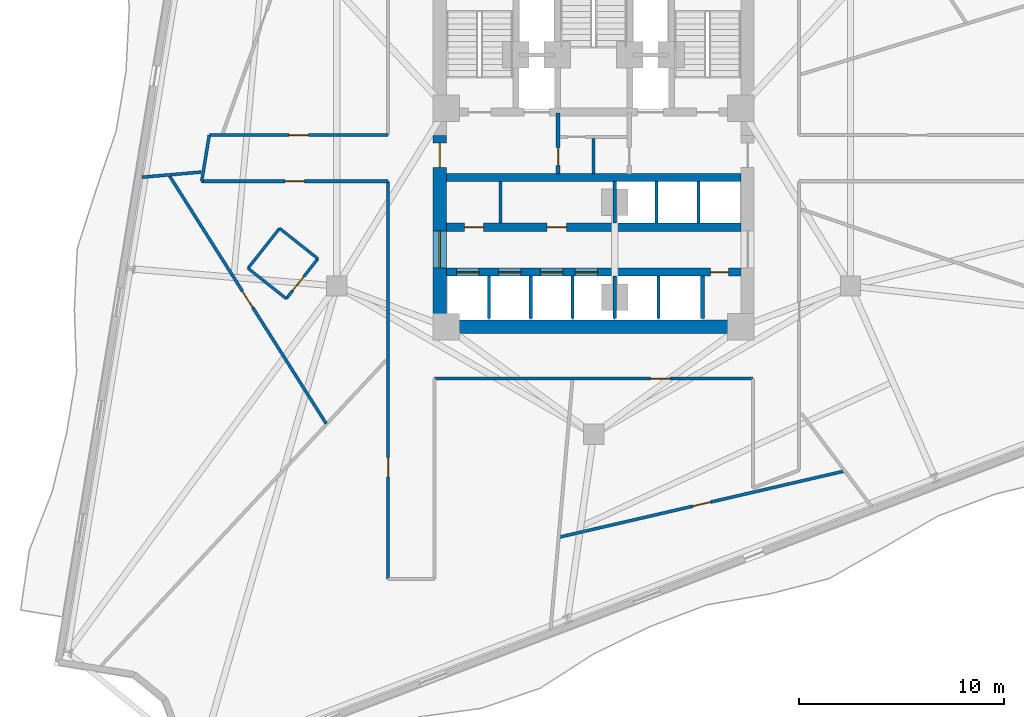
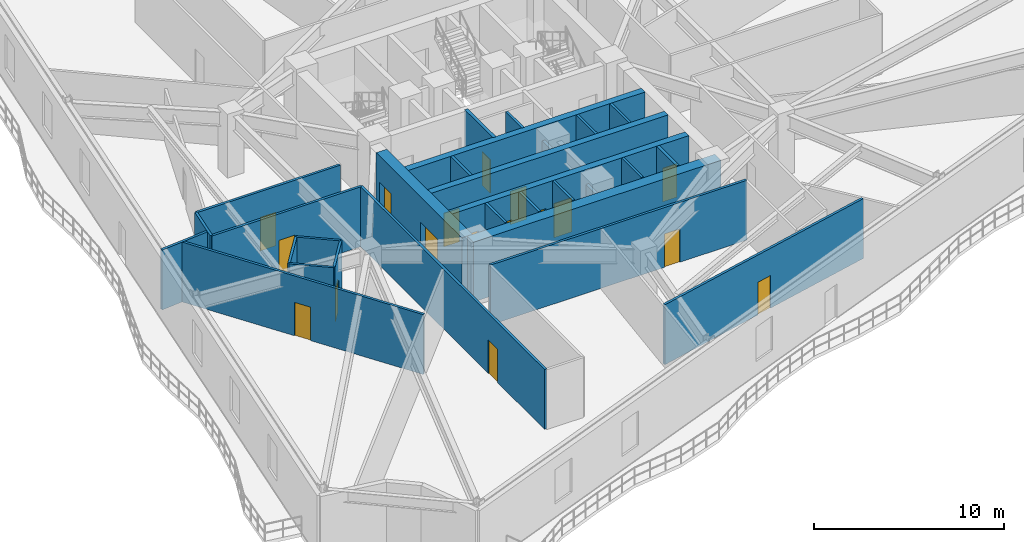
# One storey, part 4 of 11: 29 walls, 17 doors, 17 openings.
"""IFC4 building model written with IfcOpenShell, lengths in metres."""

from ifc_helpers import new_model, si_unit, direction, frame, frame_2d, origin, place, context, subcontext, project, spatial, rectangle, extrude, material, layer, layer_set, type_object, element, fill, save


model = new_model("IFC4")

# Units and contexts
model_context = context("Model", 3, precision=1e-05, world=origin(), true_north=direction((0.0, 1.0)))
body_context = subcontext(model_context, "Body", "Model", "MODEL_VIEW")
ifc_project = project(units=[si_unit("LENGTHUNIT", "METRE"), si_unit("AREAUNIT", "SQUARE_METRE"), si_unit("VOLUMEUNIT", "CUBIC_METRE"), si_unit("PLANEANGLEUNIT", "RADIAN"), si_unit("MASSUNIT", "GRAM", prefix="KILO")], contexts=[model_context])

# Site, building, storey
site_placement = place(None, origin())
site = spatial("IfcSite", under=ifc_project, at=site_placement, CompositionType="ELEMENT")
building_placement = place(site_placement, origin())
building = spatial("IfcBuilding", under=site, at=building_placement, Name="Apsidion Concourse Tower", CompositionType="ELEMENT")
storey_placement = place(building_placement, frame((0.0, 0.0, 140.39990234375)))
storey = spatial("IfcBuildingStorey", under=building, at=storey_placement, Name="L32", CompositionType="ELEMENT", Elevation=140.39990234375)

# Walls
ifc_material_1 = material(Name="Gypsum plasterboard partition")
ifc_layer_1 = layer(ifc_material_1, 0.139892578125)
ifc_layer_set_1 = layer_set([ifc_layer_1], Name="Gypsum plasterboard partition")
wall_type_1 = type_object("IfcWallType", Name="WL-INT-PAR-140", PredefinedType="PARTITIONING", material=ifc_layer_set_1)
wall_1_placement = place(storey_placement, frame((-15.35400390625, -4.432861328125, 0.0), z_axis=(0.0, 0.0, 1.0), x_axis=(-0.621077092267, -0.783749478763, 0.0)))
element("IfcWall", 1, at=wall_1_placement, inside=storey, type_object=wall_type_1, Name="L32 Interior Partition WL-L32-POD-OFAWC-S1", PredefinedType="PARTITIONING", context=body_context, shape_type="SweptSolid", body=[
    extrude(rectangle(XDim=2.48974609375, YDim=0.139892578125, at=frame_2d((1.244873046875, 0.0))), origin(), (0.0, 0.0, 1.0), 3.85009765625),
])
wall_2_placement = place(storey_placement, frame((-16.900390625, -6.38427734375, 0.0), z_axis=(0.0, 0.0, 1.0), x_axis=(0.783641720923, -0.621213049789, 0.0)))
element("IfcWall", 2, at=wall_2_placement, inside=storey, type_object=wall_type_1, Name="L32 Interior Partition WL-L32-POD-OFAWC-S2", PredefinedType="PARTITIONING", context=body_context, shape_type="SweptSolid", body=[
    extrude(rectangle(XDim=2.389892578125, YDim=0.139892578125, at=frame_2d((1.19482421875, 0.0))), origin(), (0.0, 0.0, 1.0), 3.85009765625),
])

# Wall, opening, door
wall_3_placement = place(storey_placement, frame((-15.027587890625, -7.868896484375, 0.0), z_axis=(0.0, 0.0, 1.0), x_axis=(0.621137318029, 0.783701749488, 0.0)))
wall_3 = element("IfcWall", 3, at=wall_3_placement, inside=storey, type_object=wall_type_1, Name="L32 Interior Partition WL-L32-POD-OFAWC-S3", PredefinedType="PARTITIONING", context=body_context, shape_type="SweptSolid", body=[
    extrude(rectangle(XDim=2.489990234375, YDim=0.139892578125, at=frame_2d((1.2451171875, 0.0))), origin(), (0.0, 0.0, 1.0), 3.85009765625),
])
opening_1_placement = place(wall_3_placement, frame((0.5048828125, 0.0, 0.0)))
opening_1 = element("IfcOpeningElement", 4, at=opening_1_placement, cuts=wall_3, Name="Opening D-03R", PredefinedType="OPENING", context=body_context, shape_type="SweptSolid", body=[
    extrude(rectangle(XDim=0.8798828125, YDim=2.10009765625, at=frame_2d((0.43994140625, 1.050048828125))), frame((0.0, 0.080078125, 0.0), z_axis=(0.0, -1.0, 0.0), x_axis=(1.0, 0.0, 0.0)), (0.0, 0.0, 1.0), 0.159912109375),
])
ifc_material_2 = material(Name="Anodised aluminium EN AW-6063 T6", Category="aluminium")
door_type_1 = type_object("IfcDoorType", Name="DR-INT-D03R", OperationType="SINGLE_SWING_RIGHT", PredefinedType="DOOR", material=ifc_material_2)
door_1_placement = place(opening_1_placement, origin())
door_1 = element("IfcDoor", 5, at=door_1_placement, inside=storey, type_object=door_type_1, Name="L32 Office Accessible WC Door OFAWC", OperationType="SINGLE_SWING_RIGHT", OverallHeight=2.10009765625, OverallWidth=0.8798828125, PredefinedType="DOOR", context=body_context, shape_type="SweptSolid", body=[
    extrude(rectangle(XDim=0.8798828125, YDim=2.10009765625, at=frame_2d((0.43994140625, 1.050048828125))), frame((0.0, 0.02490234375, 0.0), z_axis=(0.0, -1.0, 0.0), x_axis=(1.0, 0.0, 0.0)), (0.0, 0.0, 1.0), 0.050048828125),
])
fill(opening_1, door_1)

# Walls
wall_4_placement = place(storey_placement, frame((-13.48095703125, -5.91748046875, 0.0), z_axis=(0.0, 0.0, 1.0), x_axis=(-0.783681138921, 0.621163321921, 0.0)))
element("IfcWall", 6, at=wall_4_placement, inside=storey, type_object=wall_type_1, Name="L32 Interior Partition WL-L32-POD-OFAWC-S4", PredefinedType="PARTITIONING", context=body_context, shape_type="SweptSolid", body=[
    extrude(rectangle(XDim=2.39013671875, YDim=0.139892578125, at=frame_2d((1.195068359375, 0.0))), origin(), (0.0, 0.0, 1.0), 3.85009765625),
])
ifc_layer_2 = layer(ifc_material_1, 0.14990234375)
ifc_layer_set_2 = layer_set([ifc_layer_2], Name="Gypsum plasterboard partition")
wall_type_2 = type_object("IfcWallType", Name="WL-INT-PAR-150", PredefinedType="PARTITIONING", material=ifc_layer_set_2)
for number, where, z_axis, x_axis, name in (
    (7, (-4.550048828125, -4.179931640625, 0.0), (0.0, 0.0, 1.0), (0.0, 1.0, 0.0), "L32 Interior Partition WL-L32-B1RV1"),
    (8, (3.074951171875, -4.179931640625, 0.0), (0.0, 0.0, 1.0), (0.0, 1.0, 0.0), "L32 Interior Partition WL-L32-B3DIV-1"),
    (9, (5.125, -4.179931640625, 0.0), (0.0, 0.0, 1.0), (0.0, 1.0, 0.0), "L32 Interior Partition WL-L32-B3DIV-2"),
):
    element("IfcWall", number, at=place(storey_placement, frame(where, z_axis=z_axis, x_axis=x_axis)), inside=storey, type_object=wall_type_2, Name=name, PredefinedType="PARTITIONING", context=body_context, shape_type="SweptSolid", body=[
        extrude(rectangle(XDim=2.030029296875, YDim=0.14990234375, at=frame_2d((1.01513671875, 0.0))), origin(), (0.0, 0.0, 1.0), 3.85009765625),
    ])
for number, where, z_axis, x_axis, name in (
    (10, (-5.125, -8.85009765625, 0.0), (0.0, 0.0, 1.0), (0.0, 1.0, 0.0), "L32 Interior Partition WL-L32-B2DIV-1"),
    (11, (-3.074951171875, -8.85009765625, 0.0), (0.0, 0.0, 1.0), (0.0, 1.0, 0.0), "L32 Interior Partition WL-L32-B2DIV-2"),
    (12, (-1.02490234375, -8.85009765625, 0.0), (0.0, 0.0, 1.0), (0.0, 1.0, 0.0), "L32 Interior Partition WL-L32-B2DIV-3"),
    (13, (3.175048828125, -8.85009765625, 0.0), (0.0, 0.0, 1.0), (0.0, 1.0, 0.0), "L32 Interior Partition WL-L32-SHDIV-1"),
):
    element("IfcWall", number, at=place(storey_placement, frame(where, z_axis=z_axis, x_axis=x_axis)), inside=storey, type_object=wall_type_2, Name=name, PredefinedType="PARTITIONING", context=body_context, shape_type="SweptSolid", body=[
        extrude(rectangle(XDim=2.080078125, YDim=0.14990234375, at=frame_2d((1.0400390625, 0.0))), origin(), (0.0, 0.0, 1.0), 3.85009765625),
    ])
wall_5_placement = place(storey_placement, frame((0.0, -1.780029296875, 0.0), z_axis=(0.0, 0.0, 1.0), x_axis=(0.0, 1.0, 0.0)))
element("IfcWall", 14, at=wall_5_placement, inside=storey, type_object=wall_type_2, Name="L32 Interior Partition WL-L32-K4V", PredefinedType="PARTITIONING", context=body_context, shape_type="SweptSolid", body=[
    extrude(rectangle(XDim=1.72998046875, YDim=0.14990234375, at=frame_2d((0.864990234375, 0.0))), origin(), (0.0, 0.0, 1.0), 3.85009765625),
])

# Wall, opening, door
wall_6_placement = place(storey_placement, frame((7.7900390625, -11.77490234375, 0.0), z_axis=(0.0, 0.0, 1.0), x_axis=(-1.0, 0.0, 0.0)))
wall_6 = element("IfcWall", 15, at=wall_6_placement, inside=storey, type_object=wall_type_2, Name="L32 Interior Partition WL-L32-CORR-03", PredefinedType="PARTITIONING", context=body_context, shape_type="SweptSolid", body=[
    extrude(rectangle(XDim=15.580078125, YDim=0.14990234375, at=frame_2d((7.7900390625, 0.0))), origin(), (0.0, 0.0, 1.0), 3.85009765625),
])
opening_2_placement = place(wall_6_placement, frame((4.066650390625, 0.0, 0.0)))
opening_2 = element("IfcOpeningElement", 16, at=opening_2_placement, cuts=wall_6, Name="Opening D-01L", PredefinedType="OPENING", context=body_context, shape_type="SweptSolid", body=[
    extrude(rectangle(XDim=0.949951171875, YDim=2.14990234375, at=frame_2d((0.47509765625, 1.074951171875))), frame((0.0, 0.0849609375, 0.0), z_axis=(0.0, -1.0, 0.0), x_axis=(1.0, 0.0, 0.0)), (0.0, 0.0, 1.0), 0.169921875),
])
ifc_material_3 = material(Name="Brushed stainless steel 316", Category="steel")
door_type_2 = type_object("IfcDoorType", Name="DR-INT-D01L", OperationType="SINGLE_SWING_LEFT", PredefinedType="DOOR", material=ifc_material_3)
door_2_placement = place(opening_2_placement, origin())
door_2 = element("IfcDoor", 17, at=door_2_placement, inside=storey, type_object=door_type_2, Name="L32 Corridor Entry Door 03", OperationType="SINGLE_SWING_LEFT", OverallHeight=2.14990234375, OverallWidth=0.949951171875, PredefinedType="DOOR", context=body_context, shape_type="SweptSolid", body=[
    extrude(rectangle(XDim=0.949951171875, YDim=2.14990234375, at=frame_2d((0.47509765625, 1.074951171875))), frame((0.0, 0.02490234375, 0.0), z_axis=(0.0, -1.0, 0.0), x_axis=(1.0, 0.0, 0.0)), (0.0, 0.0, 1.0), 0.050048828125),
])
fill(opening_2, door_2)

wall_7_placement = place(storey_placement, frame((-10.050048828125, -21.580078125, 0.0), z_axis=(0.0, 0.0, 1.0), x_axis=(0.0, 1.0, 0.0)))
wall_7 = element("IfcWall", 18, at=wall_7_placement, inside=storey, type_object=wall_type_2, Name="L32 Interior Partition WL-L32-CORR-06", PredefinedType="PARTITIONING", context=body_context, shape_type="SweptSolid", body=[
    extrude(rectangle(XDim=19.4501953125, YDim=0.14990234375, at=frame_2d((9.72509765625, 0.0))), origin(), (0.0, 0.0, 1.0), 3.85009765625),
])
opening_3_placement = place(wall_7_placement, frame((4.990478515625, 0.0, 0.0)))
opening_3 = element("IfcOpeningElement", 19, at=opening_3_placement, cuts=wall_7, Name="Opening D-01R", PredefinedType="OPENING", context=body_context, shape_type="SweptSolid", body=[
    extrude(rectangle(XDim=0.949951171875, YDim=2.14990234375, at=frame_2d((0.47509765625, 1.074951171875))), frame((0.0, 0.0849609375, 0.0), z_axis=(0.0, -1.0, 0.0), x_axis=(1.0, 0.0, 0.0)), (0.0, 0.0, 1.0), 0.169921875),
])
door_type_3 = type_object("IfcDoorType", Name="DR-INT-D01R", OperationType="SINGLE_SWING_RIGHT", PredefinedType="DOOR", material=ifc_material_3)
door_3_placement = place(opening_3_placement, origin())
door_3 = element("IfcDoor", 20, at=door_3_placement, inside=storey, type_object=door_type_3, Name="L32 Corridor Entry Door 02", OperationType="SINGLE_SWING_RIGHT", OverallHeight=2.14990234375, OverallWidth=0.949951171875, PredefinedType="DOOR", context=body_context, shape_type="SweptSolid", body=[
    extrude(rectangle(XDim=0.949951171875, YDim=2.14990234375, at=frame_2d((0.47509765625, 1.074951171875))), frame((0.0, 0.02490234375, 0.0), z_axis=(0.0, -1.0, 0.0), x_axis=(1.0, 0.0, 0.0)), (0.0, 0.0, 1.0), 0.050048828125),
])
fill(opening_3, door_3)

wall_8_placement = place(storey_placement, frame((-10.050048828125, -2.1298828125, 0.0), z_axis=(0.0, 0.0, 1.0), x_axis=(-1.0, 0.0, 0.0)))
wall_8 = element("IfcWall", 21, at=wall_8_placement, inside=storey, type_object=wall_type_2, Name="L32 Interior Partition WL-L32-CORR-07", PredefinedType="PARTITIONING", context=body_context, shape_type="SweptSolid", body=[
    extrude(rectangle(XDim=9.1142578125, YDim=0.14990234375, at=frame_2d((4.55712890625, 0.0))), origin(), (0.0, 0.0, 1.0), 3.85009765625),
])
opening_4_placement = place(wall_8_placement, frame((4.082275390625, 0.0, 0.0)))
opening_4 = element("IfcOpeningElement", 22, at=opening_4_placement, cuts=wall_8, Name="Opening D-01L", PredefinedType="OPENING", context=body_context, shape_type="SweptSolid", body=[
    extrude(rectangle(XDim=0.949951171875, YDim=2.14990234375, at=frame_2d((0.47509765625, 1.074951171875))), frame((0.0, 0.0849609375, 0.0), z_axis=(0.0, -1.0, 0.0), x_axis=(1.0, 0.0, 0.0)), (0.0, 0.0, 1.0), 0.169921875),
])
door_4_placement = place(opening_4_placement, origin())
door_4 = element("IfcDoor", 23, at=door_4_placement, inside=storey, type_object=door_type_2, Name="L32 Corridor Entry Door 01", OperationType="SINGLE_SWING_LEFT", OverallHeight=2.14990234375, OverallWidth=0.949951171875, PredefinedType="DOOR", context=body_context, shape_type="SweptSolid", body=[
    extrude(rectangle(XDim=0.949951171875, YDim=2.14990234375, at=frame_2d((0.47509765625, 1.074951171875))), frame((0.0, 0.02490234375, 0.0), z_axis=(0.0, -1.0, 0.0), x_axis=(1.0, 0.0, 0.0)), (0.0, 0.0, 1.0), 0.050048828125),
])
fill(opening_4, door_4)

# Wall
wall_9_placement = place(storey_placement, frame((-19.164306640625, -2.1298828125, 0.0), z_axis=(0.0, 0.0, 1.0), x_axis=(0.161943522339, 0.986800028158, 0.0)))
element("IfcWall", 24, at=wall_9_placement, inside=storey, type_object=wall_type_2, Name="L32 Interior Partition WL-L32-CORR-08", PredefinedType="PARTITIONING", context=body_context, shape_type="SweptSolid", body=[
    extrude(rectangle(XDim=2.2900390625, YDim=0.14990234375, at=frame_2d((1.14501953125, 0.0))), origin(), (0.0, 0.0, 1.0), 3.85009765625),
])

# Wall, opening, door
wall_10_placement = place(storey_placement, frame((-18.79345703125, 0.1298828125, 0.0), z_axis=(0.0, 0.0, 1.0), x_axis=(1.0, 0.0, 0.0)))
wall_10 = element("IfcWall", 25, at=wall_10_placement, inside=storey, type_object=wall_type_2, Name="L32 Interior Partition WL-L32-CORR-09", PredefinedType="PARTITIONING", context=body_context, shape_type="SweptSolid", body=[
    extrude(rectangle(XDim=8.743408203125, YDim=0.14990234375, at=frame_2d((4.37158203125, 0.0))), origin(), (0.0, 0.0, 1.0), 3.85009765625),
])
opening_5_placement = place(wall_10_placement, frame((3.896728515625, 0.0, 0.0)))
opening_5 = element("IfcOpeningElement", 26, at=opening_5_placement, cuts=wall_10, Name="Opening D-01L", PredefinedType="OPENING", context=body_context, shape_type="SweptSolid", body=[
    extrude(rectangle(XDim=0.949951171875, YDim=2.14990234375, at=frame_2d((0.47509765625, 1.074951171875))), frame((0.0, 0.0849609375, 0.0), z_axis=(0.0, -1.0, 0.0), x_axis=(1.0, 0.0, 0.0)), (0.0, 0.0, 1.0), 0.169921875),
])
door_5_placement = place(opening_5_placement, origin())
door_5 = element("IfcDoor", 27, at=door_5_placement, inside=storey, type_object=door_type_2, Name="L32 Corridor Entry Door 09", OperationType="SINGLE_SWING_LEFT", OverallHeight=2.14990234375, OverallWidth=0.949951171875, PredefinedType="DOOR", context=body_context, shape_type="SweptSolid", body=[
    extrude(rectangle(XDim=0.949951171875, YDim=2.14990234375, at=frame_2d((0.47509765625, 1.074951171875))), frame((0.0, 0.02490234375, 0.0), z_axis=(0.0, -1.0, 0.0), x_axis=(1.0, 0.0, 0.0)), (0.0, 0.0, 1.0), 0.050048828125),
])
fill(opening_5, door_5)

# Wall
wall_11_placement = place(storey_placement, frame((-19.197021484375, -1.679443359375, 0.0), z_axis=(0.0, 0.0, 1.0), x_axis=(-0.996195359261, -0.087148185216, 0.0)))
element("IfcWall", 28, at=wall_11_placement, inside=storey, type_object=wall_type_2, Name="L32 Interior Partition WL-L32-RAD-05-1", PredefinedType="PARTITIONING", context=body_context, shape_type="SweptSolid", body=[
    extrude(rectangle(XDim=2.905029296875, YDim=0.14990234375, at=frame_2d((1.45263671875, 0.0))), origin(), (0.0, 0.0, 1.0), 3.85009765625),
])

# Wall, opening, door
wall_12_placement = place(storey_placement, frame((-20.753662109375, -1.8408203125, 0.0), z_axis=(0.0, 0.0, 1.0), x_axis=(0.53443787688, -0.84520775893, 0.0)))
wall_12 = element("IfcWall", 29, at=wall_12_placement, inside=storey, type_object=wall_type_2, Name="L32 Interior Partition WL-L32-CHD-OFWC", PredefinedType="PARTITIONING", context=body_context, shape_type="SweptSolid", body=[
    extrude(rectangle(XDim=14.367919921875, YDim=0.14990234375, at=frame_2d((7.18408203125, 0.0))), origin(), (0.0, 0.0, 1.0), 3.85009765625),
])
opening_6_placement = place(wall_12_placement, frame((6.708984375, 0.0, 0.0)))
opening_6 = element("IfcOpeningElement", 30, at=opening_6_placement, cuts=wall_12, Name="Opening D-04L", PredefinedType="OPENING", context=body_context, shape_type="SweptSolid", body=[
    extrude(rectangle(XDim=0.949951171875, YDim=2.14990234375, at=frame_2d((0.47509765625, 1.074951171875))), frame((0.0, 0.0849609375, 0.0), z_axis=(0.0, -1.0, 0.0), x_axis=(1.0, 0.0, 0.0)), (0.0, 0.0, 1.0), 0.169921875),
])
door_type_4 = type_object("IfcDoorType", Name="DR-INT-D04L", OperationType="SINGLE_SWING_LEFT", PredefinedType="DOOR", material=ifc_material_3)
door_6_placement = place(opening_6_placement, origin())
door_6 = element("IfcDoor", 31, at=door_6_placement, inside=storey, type_object=door_type_4, Name="L32 Suite Connecting Door OFWC", OperationType="SINGLE_SWING_LEFT", OverallHeight=2.14990234375, OverallWidth=0.949951171875, PredefinedType="DOOR", context=body_context, shape_type="SweptSolid", body=[
    extrude(rectangle(XDim=0.949951171875, YDim=2.14990234375, at=frame_2d((0.47509765625, 1.074951171875))), frame((0.0, 0.02490234375, 0.0), z_axis=(0.0, -1.0, 0.0), x_axis=(1.0, 0.0, 0.0)), (0.0, 0.0, 1.0), 0.050048828125),
])
fill(opening_6, door_6)

wall_13_placement = place(storey_placement, frame((-1.683837890625, -19.53271484375, 0.0), z_axis=(0.0, 0.0, 1.0), x_axis=(0.974168973581, 0.225820306685, 0.0)))
wall_13 = element("IfcWall", 32, at=wall_13_placement, inside=storey, type_object=wall_type_2, Name="L32 Interior Partition WL-L32-CHD-OFS02", PredefinedType="PARTITIONING", context=body_context, shape_type="SweptSolid", body=[
    extrude(rectangle(XDim=14.306640625, YDim=0.14990234375, at=frame_2d((7.1533203125, 0.0))), origin(), (0.0, 0.0, 1.0), 3.85009765625),
])
opening_7_placement = place(wall_13_placement, frame((6.703369140625, 0.0, 0.0)))
opening_7 = element("IfcOpeningElement", 33, at=opening_7_placement, cuts=wall_13, Name="Opening D-02L", PredefinedType="OPENING", context=body_context, shape_type="SweptSolid", body=[
    extrude(rectangle(XDim=0.89990234375, YDim=2.10009765625, at=frame_2d((0.449951171875, 1.050048828125))), frame((0.0, 0.0849609375, 0.0), z_axis=(0.0, -1.0, 0.0), x_axis=(1.0, 0.0, 0.0)), (0.0, 0.0, 1.0), 0.169921875),
])
door_type_5 = type_object("IfcDoorType", Name="DR-INT-D02L", OperationType="SINGLE_SWING_LEFT", PredefinedType="DOOR", material=ifc_material_2)
door_7_placement = place(opening_7_placement, origin())
door_7 = element("IfcDoor", 34, at=door_7_placement, inside=storey, type_object=door_type_5, Name="L32 Suite Connecting Door OFS02", OperationType="SINGLE_SWING_LEFT", OverallHeight=2.10009765625, OverallWidth=0.89990234375, PredefinedType="DOOR", context=body_context, shape_type="SweptSolid", body=[
    extrude(rectangle(XDim=0.89990234375, YDim=2.10009765625, at=frame_2d((0.449951171875, 1.050048828125))), frame((0.0, 0.02490234375, 0.0), z_axis=(0.0, -1.0, 0.0), x_axis=(1.0, 0.0, 0.0)), (0.0, 0.0, 1.0), 0.050048828125),
])
fill(opening_7, door_7)

# Walls
ifc_layer_3 = layer(ifc_material_1, 0.179931640625)
ifc_layer_set_3 = layer_set([ifc_layer_3], Name="Gypsum plasterboard partition")
wall_type_3 = type_object("IfcWallType", Name="WL-INT-PAR-180", PredefinedType="PARTITIONING", material=ifc_layer_set_3)
wall_14_placement = place(storey_placement, frame((1.02490234375, -4.179931640625, 0.0), z_axis=(0.0, 0.0, 1.0), x_axis=(0.0, 1.0, 0.0)))
element("IfcWall", 35, at=wall_14_placement, inside=storey, type_object=wall_type_3, Name="L32 Interior Partition WL-L32-B1END", PredefinedType="PARTITIONING", context=body_context, shape_type="SweptSolid", body=[
    extrude(rectangle(XDim=2.030029296875, YDim=0.179931640625, at=frame_2d((1.01513671875, 0.0))), origin(), (0.0, 0.0, 1.0), 2.898193359375),
])
wall_15_placement = place(storey_placement, frame((1.02490234375, -8.85009765625, 0.0), z_axis=(0.0, 0.0, 1.0), x_axis=(0.0, 1.0, 0.0)))
element("IfcWall", 36, at=wall_15_placement, inside=storey, type_object=wall_type_3, Name="L32 Interior Partition WL-L32-B2END", PredefinedType="PARTITIONING", context=body_context, shape_type="SweptSolid", body=[
    extrude(rectangle(XDim=2.080078125, YDim=0.179931640625, at=frame_2d((1.0400390625, 0.0))), origin(), (0.0, 0.0, 1.0), 2.898193359375),
])
wall_16_placement = place(storey_placement, frame((5.324951171875, -8.85009765625, 0.0), z_axis=(0.0, 0.0, 1.0), x_axis=(0.0, 1.0, 0.0)))
element("IfcWall", 37, at=wall_16_placement, inside=storey, type_object=wall_type_3, Name="L32 Interior Partition WL-L32-SHDIV-2", PredefinedType="PARTITIONING", context=body_context, shape_type="SweptSolid", body=[
    extrude(rectangle(XDim=2.080078125, YDim=0.179931640625, at=frame_2d((1.0400390625, 0.0))), origin(), (0.0, 0.0, 1.0), 3.85009765625),
])

# Wall, opening, door
ifc_layer_4 = layer(ifc_material_1, 0.199951171875)
ifc_layer_set_4 = layer_set([ifc_layer_4], Name="Gypsum plasterboard partition")
wall_type_4 = type_object("IfcWallType", Name="WL-INT-PAR-200", PredefinedType="PARTITIONING", material=ifc_layer_set_4)
wall_17_placement = place(storey_placement, frame((-1.739990234375, -1.780029296875, 0.0), z_axis=(0.0, 0.0, 1.0), x_axis=(0.0, 1.0, 0.0)))
wall_17 = element("IfcWall", 38, at=wall_17_placement, inside=storey, type_object=wall_type_4, Name="L32 Interior Partition WL-L32-FF1-E", PredefinedType="PARTITIONING", context=body_context, shape_type="SweptSolid", body=[
    extrude(rectangle(XDim=2.97998046875, YDim=0.199951171875, at=frame_2d((1.489990234375, 0.0))), origin(), (0.0, 0.0, 1.0), 3.85009765625),
])
opening_8_placement = place(wall_17_placement, frame((0.419921875, 0.0, 0.0)))
opening_8 = element("IfcOpeningElement", 39, at=opening_8_placement, cuts=wall_17, Name="Opening D-05R", PredefinedType="OPENING", context=body_context, shape_type="SweptSolid", body=[
    extrude(rectangle(XDim=0.8798828125, YDim=2.14990234375, at=frame_2d((0.43994140625, 1.074951171875))), frame((0.0, 0.10986328125, 0.0), z_axis=(0.0, -1.0, 0.0), x_axis=(1.0, 0.0, 0.0)), (0.0, 0.0, 1.0), 0.219970703125),
])
door_type_6 = type_object("IfcDoorType", Name="DR-INT-D05R", OperationType="SINGLE_SWING_RIGHT", PredefinedType="DOOR", material=ifc_material_3)
door_8_placement = place(opening_8_placement, origin())
door_8 = element("IfcDoor", 40, at=door_8_placement, inside=storey, type_object=door_type_6, Name="L32 Core Switch Room Door", OperationType="SINGLE_SWING_RIGHT", OverallHeight=2.14990234375, OverallWidth=0.8798828125, PredefinedType="DOOR", context=body_context, shape_type="SweptSolid", body=[
    extrude(rectangle(XDim=0.8798828125, YDim=2.14990234375, at=frame_2d((0.43994140625, 1.074951171875))), frame((0.0, 0.02490234375, 0.0), z_axis=(0.0, -1.0, 0.0), x_axis=(1.0, 0.0, 0.0)), (0.0, 0.0, 1.0), 0.050048828125),
])
fill(opening_8, door_8)

# Wall
ifc_material_4 = material(Name="Concrete C50/60", Category="concrete")
ifc_layer_5 = layer(ifc_material_4, 0.39990234375)
ifc_layer_set_5 = layer_set([ifc_layer_5], Name="Concrete C50/60")
wall_type_5 = type_object("IfcWallType", Name="WL-SH-400", PredefinedType="SHEAR", material=ifc_layer_set_5)
wall_18_placement = place(storey_placement, frame((-7.199951171875, -1.949951171875, 0.0), z_axis=(0.0, 0.0, 1.0), x_axis=(1.0, 0.0, 0.0)))
element("IfcWall", 41, at=wall_18_placement, inside=storey, type_object=wall_type_5, Name="L32 Central Core Shear Wall M2", PredefinedType="SHEAR", context=body_context, shape_type="SweptSolid", body=[
    extrude(rectangle(XDim=14.39990234375, YDim=0.39990234375, at=frame_2d((7.199951171875, 0.0))), origin(), (0.0, 0.0, 1.0), 3.85009765625),
])

# Wall, openings, doors
wall_19_placement = place(storey_placement, frame((-7.199951171875, -4.3798828125, 0.0), z_axis=(0.0, 0.0, 1.0), x_axis=(1.0, 0.0, 0.0)))
wall_19 = element("IfcWall", 42, at=wall_19_placement, inside=storey, type_object=wall_type_5, Name="L32 Central Core Shear Wall LA", PredefinedType="SHEAR", context=body_context, shape_type="SweptSolid", body=[
    extrude(rectangle(XDim=14.39990234375, YDim=0.39990234375, at=frame_2d((7.199951171875, 0.0))), origin(), (0.0, 0.0, 1.0), 3.85009765625),
])
opening_9_placement = place(wall_19_placement, frame((0.875, 0.0, 0.0)))
opening_9 = element("IfcOpeningElement", 43, at=opening_9_placement, cuts=wall_19, Name="Opening D-04L", PredefinedType="OPENING", context=body_context, shape_type="SweptSolid", body=[
    extrude(rectangle(XDim=0.949951171875, YDim=2.14990234375, at=frame_2d((0.47509765625, 1.074951171875))), frame((0.0, 0.2099609375, 0.0), z_axis=(0.0, -1.0, 0.0), x_axis=(1.0, 0.0, 0.0)), (0.0, 0.0, 1.0), 0.419921875),
])
opening_10_placement = place(wall_19_placement, frame((4.925048828125, 0.0, 0.0)))
opening_10 = element("IfcOpeningElement", 44, at=opening_10_placement, cuts=wall_19, Name="Opening D-04R", PredefinedType="OPENING", context=body_context, shape_type="SweptSolid", body=[
    extrude(rectangle(XDim=0.949951171875, YDim=2.14990234375, at=frame_2d((0.47509765625, 1.074951171875))), frame((0.0, 0.2099609375, 0.0), z_axis=(0.0, -1.0, 0.0), x_axis=(1.0, 0.0, 0.0)), (0.0, 0.0, 1.0), 0.419921875),
])
door_9_placement = place(opening_9_placement, origin())
door_9 = element("IfcDoor", 45, at=door_9_placement, inside=storey, type_object=door_type_4, Name="L32 Core Supply Store Door", OperationType="SINGLE_SWING_LEFT", OverallHeight=2.14990234375, OverallWidth=0.949951171875, PredefinedType="DOOR", context=body_context, shape_type="SweptSolid", body=[
    extrude(rectangle(XDim=0.949951171875, YDim=2.14990234375, at=frame_2d((0.47509765625, 1.074951171875))), frame((0.0, 0.02490234375, 0.0), z_axis=(0.0, -1.0, 0.0), x_axis=(1.0, 0.0, 0.0)), (0.0, 0.0, 1.0), 0.050048828125),
])
fill(opening_9, door_9)
door_type_7 = type_object("IfcDoorType", Name="DR-INT-D04R", OperationType="SINGLE_SWING_RIGHT", PredefinedType="DOOR", material=ifc_material_3)
door_10_placement = place(opening_10_placement, origin())
door_10 = element("IfcDoor", 46, at=door_10_placement, inside=storey, type_object=door_type_7, Name="L32 Core Data and Print Room Door", OperationType="SINGLE_SWING_RIGHT", OverallHeight=2.14990234375, OverallWidth=0.949951171875, PredefinedType="DOOR", context=body_context, shape_type="SweptSolid", body=[
    extrude(rectangle(XDim=0.949951171875, YDim=2.14990234375, at=frame_2d((0.47509765625, 1.074951171875))), frame((0.0, 0.02490234375, 0.0), z_axis=(0.0, -1.0, 0.0), x_axis=(1.0, 0.0, 0.0)), (0.0, 0.0, 1.0), 0.050048828125),
])
fill(opening_10, door_10)

wall_20_placement = place(storey_placement, frame((-7.199951171875, -6.570068359375, 0.0), z_axis=(0.0, 0.0, 1.0), x_axis=(1.0, 0.0, 0.0)))
wall_20 = element("IfcWall", 47, at=wall_20_placement, inside=storey, type_object=wall_type_5, Name="L32 Central Core Shear Wall LB", PredefinedType="SHEAR", context=body_context, shape_type="SweptSolid", body=[
    extrude(rectangle(XDim=14.39990234375, YDim=0.39990234375, at=frame_2d((7.199951171875, 0.0))), origin(), (0.0, 0.0, 1.0), 3.85009765625),
])
opening_11_placement = place(wall_20_placement, frame((0.5, 0.0, 0.0)))
opening_11 = element("IfcOpeningElement", 48, at=opening_11_placement, cuts=wall_20, Name="Opening LD-P1", PredefinedType="OPENING", context=body_context, shape_type="SweptSolid", body=[
    extrude(rectangle(XDim=1.10009765625, YDim=2.199951171875, at=frame_2d((0.550048828125, 1.10009765625))), frame((0.0, 0.2099609375, 0.0), z_axis=(0.0, -1.0, 0.0), x_axis=(1.0, 0.0, 0.0)), (0.0, 0.0, 1.0), 0.419921875),
])
opening_12_placement = place(wall_20_placement, frame((2.550048828125, 0.0, 0.0)))
opening_12 = element("IfcOpeningElement", 49, at=opening_12_placement, cuts=wall_20, Name="Opening LD-P1", PredefinedType="OPENING", context=body_context, shape_type="SweptSolid", body=[
    extrude(rectangle(XDim=1.10009765625, YDim=2.199951171875, at=frame_2d((0.550048828125, 1.10009765625))), frame((0.0, 0.2099609375, 0.0), z_axis=(0.0, -1.0, 0.0), x_axis=(1.0, 0.0, 0.0)), (0.0, 0.0, 1.0), 0.419921875),
])
opening_13_placement = place(wall_20_placement, frame((4.60009765625, 0.0, 0.0)))
opening_13 = element("IfcOpeningElement", 50, at=opening_13_placement, cuts=wall_20, Name="Opening LD-P1", PredefinedType="OPENING", context=body_context, shape_type="SweptSolid", body=[
    extrude(rectangle(XDim=1.10009765625, YDim=2.199951171875, at=frame_2d((0.550048828125, 1.10009765625))), frame((0.0, 0.2099609375, 0.0), z_axis=(0.0, -1.0, 0.0), x_axis=(1.0, 0.0, 0.0)), (0.0, 0.0, 1.0), 0.419921875),
])
opening_14_placement = place(wall_20_placement, frame((6.300048828125, 0.0, 0.0)))
opening_14 = element("IfcOpeningElement", 51, at=opening_14_placement, cuts=wall_20, Name="Opening LD-P1", PredefinedType="OPENING", context=body_context, shape_type="SweptSolid", body=[
    extrude(rectangle(XDim=1.10009765625, YDim=2.199951171875, at=frame_2d((0.550048828125, 1.10009765625))), frame((0.0, 0.2099609375, 0.0), z_axis=(0.0, -1.0, 0.0), x_axis=(1.0, 0.0, 0.0)), (0.0, 0.0, 1.0), 0.419921875),
])
opening_15_placement = place(wall_20_placement, frame((12.909912109375, 0.0, 0.0)))
opening_15 = element("IfcOpeningElement", 52, at=opening_15_placement, cuts=wall_20, Name="Opening D-05L", PredefinedType="OPENING", context=body_context, shape_type="SweptSolid", body=[
    extrude(rectangle(XDim=0.8798828125, YDim=2.14990234375, at=frame_2d((0.43994140625, 1.074951171875))), frame((0.0, 0.2099609375, 0.0), z_axis=(0.0, -1.0, 0.0), x_axis=(1.0, 0.0, 0.0)), (0.0, 0.0, 1.0), 0.419921875),
])
door_type_8 = type_object("IfcDoorType", Name="DR-INT-D05L", OperationType="SINGLE_SWING_LEFT", PredefinedType="DOOR", material=ifc_material_3)
door_11_placement = place(opening_15_placement, origin())
door_11 = element("IfcDoor", 53, at=door_11_placement, inside=storey, type_object=door_type_8, Name="L32 Cleaners Store Door", OperationType="SINGLE_SWING_LEFT", OverallHeight=2.14990234375, OverallWidth=0.8798828125, PredefinedType="DOOR", context=body_context, shape_type="SweptSolid", body=[
    extrude(rectangle(XDim=0.8798828125, YDim=2.14990234375, at=frame_2d((0.43994140625, 1.074951171875))), frame((0.0, 0.02490234375, 0.0), z_axis=(0.0, -1.0, 0.0), x_axis=(1.0, 0.0, 0.0)), (0.0, 0.0, 1.0), 0.050048828125),
])
fill(opening_15, door_11)
door_type_9 = type_object("IfcDoorType", Name="DR-LD-PASS", OperationType="DOUBLE_DOOR_SLIDING", PredefinedType="DOOR", material=ifc_material_3)
door_12_placement = place(opening_11_placement, origin())
door_12 = element("IfcDoor", 54, at=door_12_placement, inside=storey, type_object=door_type_9, Name="L32 Lift Landing Door P5", OperationType="DOUBLE_DOOR_SLIDING", OverallHeight=2.199951171875, OverallWidth=1.10009765625, PredefinedType="DOOR", context=body_context, shape_type="SweptSolid", body=[
    extrude(rectangle(XDim=1.10009765625, YDim=2.199951171875, at=frame_2d((0.550048828125, 1.10009765625))), frame((0.0, 0.02490234375, 0.0), z_axis=(0.0, -1.0, 0.0), x_axis=(1.0, 0.0, 0.0)), (0.0, 0.0, 1.0), 0.050048828125),
])
fill(opening_11, door_12)
door_13_placement = place(opening_12_placement, origin())
door_13 = element("IfcDoor", 55, at=door_13_placement, inside=storey, type_object=door_type_9, Name="L32 Lift Landing Door P6", OperationType="DOUBLE_DOOR_SLIDING", OverallHeight=2.199951171875, OverallWidth=1.10009765625, PredefinedType="DOOR", context=body_context, shape_type="SweptSolid", body=[
    extrude(rectangle(XDim=1.10009765625, YDim=2.199951171875, at=frame_2d((0.550048828125, 1.10009765625))), frame((0.0, 0.02490234375, 0.0), z_axis=(0.0, -1.0, 0.0), x_axis=(1.0, 0.0, 0.0)), (0.0, 0.0, 1.0), 0.050048828125),
])
fill(opening_12, door_13)
door_14_placement = place(opening_13_placement, origin())
door_14 = element("IfcDoor", 56, at=door_14_placement, inside=storey, type_object=door_type_9, Name="L32 Lift Landing Door P7", OperationType="DOUBLE_DOOR_SLIDING", OverallHeight=2.199951171875, OverallWidth=1.10009765625, PredefinedType="DOOR", context=body_context, shape_type="SweptSolid", body=[
    extrude(rectangle(XDim=1.10009765625, YDim=2.199951171875, at=frame_2d((0.550048828125, 1.10009765625))), frame((0.0, 0.02490234375, 0.0), z_axis=(0.0, -1.0, 0.0), x_axis=(1.0, 0.0, 0.0)), (0.0, 0.0, 1.0), 0.050048828125),
])
fill(opening_13, door_14)
door_15_placement = place(opening_14_placement, origin())
door_15 = element("IfcDoor", 57, at=door_15_placement, inside=storey, type_object=door_type_9, Name="L32 Lift Landing Door P8", OperationType="DOUBLE_DOOR_SLIDING", OverallHeight=2.199951171875, OverallWidth=1.10009765625, PredefinedType="DOOR", context=body_context, shape_type="SweptSolid", body=[
    extrude(rectangle(XDim=1.10009765625, YDim=2.199951171875, at=frame_2d((0.550048828125, 1.10009765625))), frame((0.0, 0.02490234375, 0.0), z_axis=(0.0, -1.0, 0.0), x_axis=(1.0, 0.0, 0.0)), (0.0, 0.0, 1.0), 0.050048828125),
])
fill(opening_14, door_15)

ifc_layer_6 = layer(ifc_material_4, 0.64990234375)
ifc_layer_set_6 = layer_set([ifc_layer_6], Name="Concrete C50/60")
wall_type_6 = type_object("IfcWallType", Name="WL-SH-650", PredefinedType="SHEAR", material=ifc_layer_set_6)
wall_21_placement = place(storey_placement, frame((-7.52490234375, -8.925048828125, 0.0), z_axis=(0.0, 0.0, 1.0), x_axis=(0.0, 1.0, 0.0)))
wall_21 = element("IfcWall", 58, at=wall_21_placement, inside=storey, type_object=wall_type_6, Name="L32 Central Core Shear Wall WS", PredefinedType="SHEAR", context=body_context, shape_type="SweptSolid", body=[
    extrude(rectangle(XDim=9.025146484375, YDim=0.64990234375, at=frame_2d((4.5126953125, 0.0))), origin(), (0.0, 0.0, 1.0), 3.85009765625),
])
opening_16_placement = place(wall_21_placement, frame((2.56494140625, 0.0, 0.0)))
opening_16 = element("IfcOpeningElement", 59, at=opening_16_placement, cuts=wall_21, Name="Opening D-06D", PredefinedType="OPENING", context=body_context, shape_type="SweptSolid", body=[
    extrude(rectangle(XDim=1.800048828125, YDim=2.199951171875, at=frame_2d((0.89990234375, 1.10009765625))), frame((0.0, 0.3349609375, 0.0), z_axis=(0.0, -1.0, 0.0), x_axis=(1.0, 0.0, 0.0)), (0.0, 0.0, 1.0), 0.669921875),
])
opening_17_placement = place(wall_21_placement, frame((7.47509765625, 0.0, 0.0)))
opening_17 = element("IfcOpeningElement", 60, at=opening_17_placement, cuts=wall_21, Name="Opening D-FFL", PredefinedType="OPENING", context=body_context, shape_type="SweptSolid", body=[
    extrude(rectangle(XDim=1.199951171875, YDim=2.14990234375, at=frame_2d((0.60009765625, 1.074951171875))), frame((0.0, 0.3349609375, 0.0), z_axis=(0.0, -1.0, 0.0), x_axis=(1.0, 0.0, 0.0)), (0.0, 0.0, 1.0), 0.669921875),
])
door_type_10 = type_object("IfcDoorType", Name="DR-INT-D06D", OperationType="DOUBLE_DOOR_SINGLE_SWING", PredefinedType="DOOR", material=ifc_material_3)
door_16_placement = place(opening_16_placement, origin())
door_16 = element("IfcDoor", 61, at=door_16_placement, inside=storey, type_object=door_type_10, Name="L32 Passenger Lift Lobby WS Portal Door", OperationType="DOUBLE_DOOR_SINGLE_SWING", OverallHeight=2.199951171875, OverallWidth=1.800048828125, PredefinedType="DOOR", context=body_context, shape_type="SweptSolid", body=[
    extrude(rectangle(XDim=1.800048828125, YDim=2.199951171875, at=frame_2d((0.89990234375, 1.10009765625))), frame((0.0, 0.02490234375, 0.0), z_axis=(0.0, -1.0, 0.0), x_axis=(1.0, 0.0, 0.0)), (0.0, 0.0, 1.0), 0.050048828125),
])
fill(opening_16, door_16)
door_type_11 = type_object("IfcDoorType", Name="DR-INT-FFL", OperationType="SINGLE_SWING_LEFT", PredefinedType="DOOR", material=ifc_material_3)
door_17_placement = place(opening_17_placement, origin())
door_17 = element("IfcDoor", 62, at=door_17_placement, inside=storey, type_object=door_type_11, Name="L32 Firefighting Lift Lobby FF1 Door", OperationType="SINGLE_SWING_LEFT", OverallHeight=2.14990234375, OverallWidth=1.199951171875, PredefinedType="DOOR", context=body_context, shape_type="SweptSolid", body=[
    extrude(rectangle(XDim=1.199951171875, YDim=2.14990234375, at=frame_2d((0.60009765625, 1.074951171875))), frame((0.0, 0.02490234375, 0.0), z_axis=(0.0, -1.0, 0.0), x_axis=(1.0, 0.0, 0.0)), (0.0, 0.0, 1.0), 0.050048828125),
])
fill(opening_17, door_17)

# Wall
wall_22_placement = place(storey_placement, frame((-7.52490234375, -9.25, 0.0), z_axis=(0.0, 0.0, 1.0), x_axis=(1.0, 0.0, 0.0)))
element("IfcWall", 63, at=wall_22_placement, inside=storey, type_object=wall_type_6, Name="L32 Central Core Shear Wall S", PredefinedType="SHEAR", context=body_context, shape_type="SweptSolid", body=[
    extrude(rectangle(XDim=15.0498046875, YDim=0.64990234375, at=frame_2d((7.52490234375, 0.0))), origin(), (0.0, 0.0, 1.0), 3.85009765625),
])

save(model, "model.ifc")
